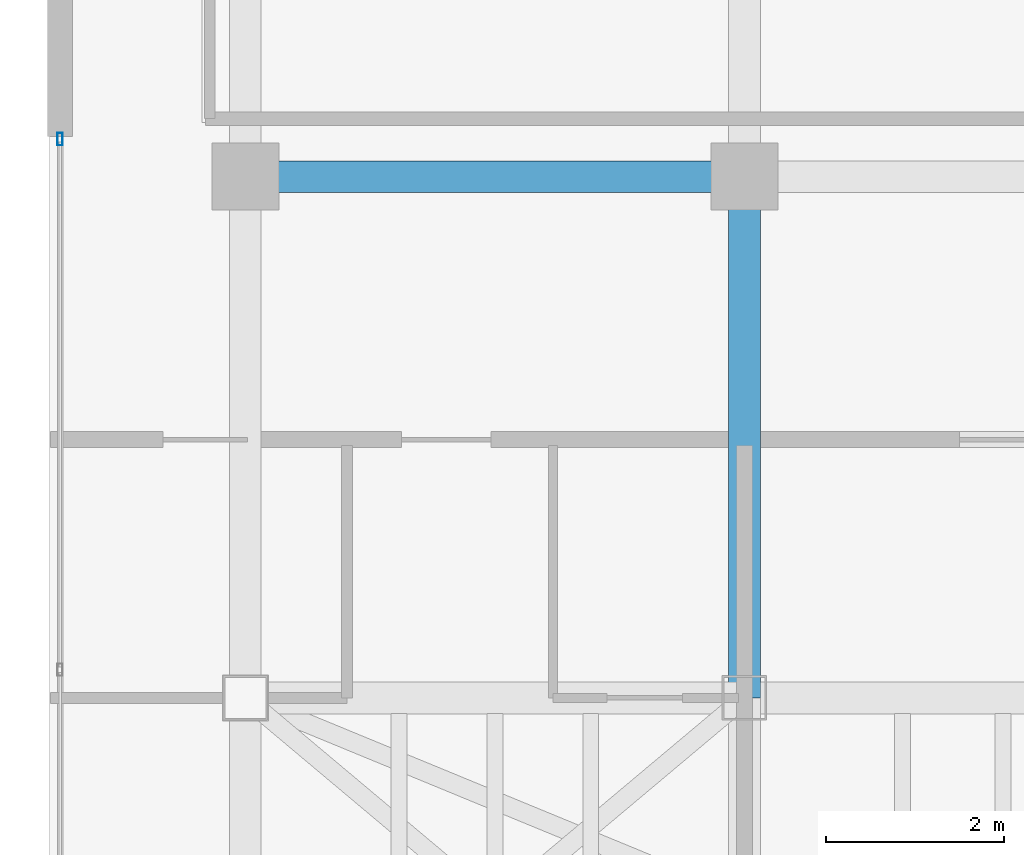
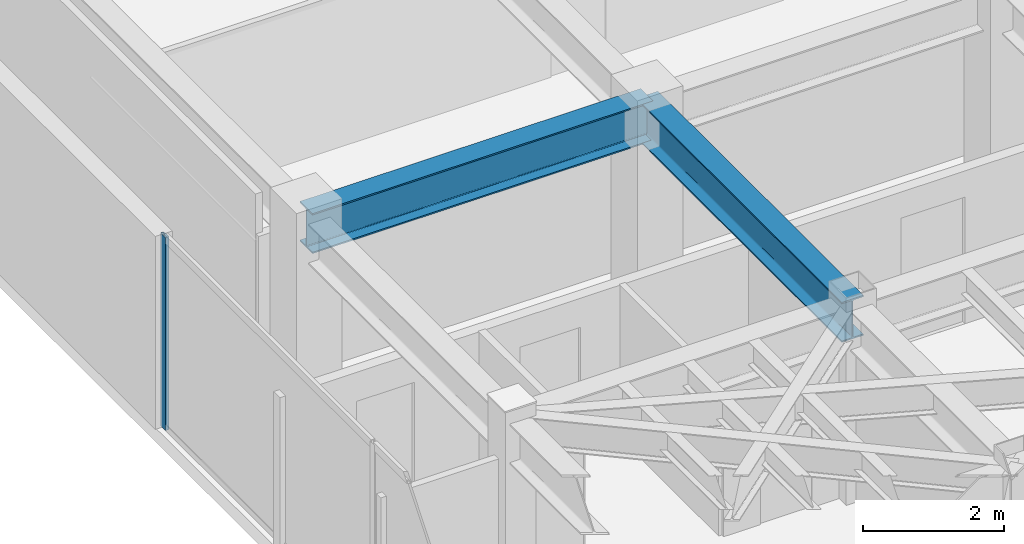
# One storey, part 12 of 19: 2 beams, 1 member, 1 element without a shape of its own.
"""IFC4 building model written with IfcOpenShell, lengths in metres."""

import ifcopenshell
import ifcopenshell.guid

model = None  # the IFC model being written
_history = None  # IfcOwnerHistory: only IFC2X3 demands one
_inside = {}  # id of a spatial element -> (the spatial element, [elements in it])
_under = {}  # id of a project, library or spatial element -> (it, [spatial elements below it])
_declared = {}  # id of a project -> (the project, [libraries it declares])
_typed = {}  # id of a type object -> (the type object, [elements of that type])
_made_of = {}  # id of a material, layer set ... -> (it, [elements and type objects made of it])


def new_model(schema):
    """Start an empty IFC model of exactly this schema.

    Asked for "IFC4X3", IfcOpenShell would pick the latest addendum, in which some entities
    have other attributes; the version numbers below select the first issue.
    IFC2X3 requires an IfcOwnerHistory on every rooted entity: one is made here for all.
    """
    global model, _history
    if schema == "IFC4X3":
        model = ifcopenshell.file(schema_version=(4, 3, 0, 0))
    else:
        model = ifcopenshell.file(schema=schema)
    _inside.clear()
    _under.clear()
    _declared.clear()
    _typed.clear()
    _made_of.clear()
    _history = None
    if model.schema == "IFC2X3":
        org = make("IfcOrganization", Name="unknown")
        user = make(
            "IfcPersonAndOrganization",
            ThePerson=make("IfcPerson", FamilyName="unknown"),
            TheOrganization=org,
        )
        app = make(
            "IfcApplication",
            ApplicationDeveloper=org,
            Version="unknown",
            ApplicationFullName="unknown",
            ApplicationIdentifier="unknown",
        )
        _history = make(
            "IfcOwnerHistory",
            OwningUser=user,
            OwningApplication=app,
            ChangeAction="ADDED",
            CreationDate=0,
        )
    return model


def make(cls, **values):
    """One entity of the class cls with the attributes given. An attribute that is None is left unset."""
    return model.create_entity(
        cls, **{name: value for name, value in values.items() if value is not None}
    )


def rooted(cls, **values):
    """An entity with a GlobalId (a new one), such as an element, a storey or a relation."""
    return make(cls, GlobalId=ifcopenshell.guid.new(), OwnerHistory=_history, **values)


def si_unit(unit_type, name, prefix=None):
    """IfcSIUnit, for example si_unit("LENGTHUNIT", "METRE", prefix="MILLI")."""
    return make("IfcSIUnit", UnitType=unit_type, Prefix=prefix, Name=name)


def assignment(units):
    """IfcUnitAssignment: the units of a project."""
    return None if units is None else make("IfcUnitAssignment", Units=units)


def point(xyz):
    """IfcCartesianPoint."""
    return None if xyz is None else make("IfcCartesianPoint", Coordinates=xyz)


def direction(xyz):
    """IfcDirection."""
    return None if xyz is None else make("IfcDirection", DirectionRatios=xyz)


def frame(location, z_axis=None, x_axis=None):
    """IfcAxis2Placement3D, a coordinate frame: its origin and axes. An axis left out is left unset."""
    return make(
        "IfcAxis2Placement3D",
        Location=point(location),
        Axis=direction(z_axis),
        RefDirection=direction(x_axis),
    )


def frame_2d(location, x_axis=None):
    """IfcAxis2Placement2D, a coordinate frame in the plane: its origin and x axis."""
    return make(
        "IfcAxis2Placement2D", Location=point(location), RefDirection=direction(x_axis)
    )


def origin():
    """The frame at (0, 0, 0) with its axes left unset."""
    return frame((0.0, 0.0, 0.0))


def origin_2d():
    """The frame at (0, 0) in the plane with its x axis left unset."""
    return frame_2d((0.0, 0.0))


def place(relative_to, where):
    """IfcLocalPlacement: puts the frame where relative to a parent placement (None: the world)."""
    return make(
        "IfcLocalPlacement", PlacementRelTo=relative_to, RelativePlacement=where
    )


def context(
    kind, dimensions, precision=None, world=None, true_north=None, identifier=None
):
    """IfcGeometricRepresentationContext, for example the 3D "Model" context."""
    return make(
        "IfcGeometricRepresentationContext",
        ContextIdentifier=identifier,
        ContextType=kind,
        CoordinateSpaceDimension=dimensions,
        Precision=precision,
        WorldCoordinateSystem=world,
        TrueNorth=true_north,
    )


def subcontext(parent, identifier, kind, view, scale=None):
    """IfcGeometricRepresentationSubContext, for example "Body" below "Model"."""
    return make(
        "IfcGeometricRepresentationSubContext",
        ContextIdentifier=identifier,
        ContextType=kind,
        ParentContext=parent,
        TargetScale=scale,
        TargetView=view,
    )


def project(units=None, contexts=None):
    """IfcProject with its units and contexts."""
    return rooted(
        "IfcProject",
        Name="project",
        RepresentationContexts=contexts,
        UnitsInContext=assignment(units),
    )


def spatial(cls, under=None, at=None, **own):
    """A site, building, storey or space (cls), placed at a placement, below another one or the project."""
    s = rooted(cls, ObjectPlacement=at, **own)
    if under is not None:
        _under.setdefault(under.id(), (under, []))[1].append(s)
    return s


def profile(cls, at=None, kind="AREA", **sizes):
    """A parametric profile (cls). Its sizes go by their IFC names, for example OverallWidth=200.0."""
    return make(cls, ProfileType=kind, Position=at, **sizes)


def hollow_rectangle(**sizes):
    """IfcRectangleHollowProfileDef."""
    return profile("IfcRectangleHollowProfileDef", **sizes)


def i_section(**sizes):
    """IfcIShapeProfileDef."""
    return profile("IfcIShapeProfileDef", **sizes)


def extrude(swept, where, along, depth):
    """IfcExtrudedAreaSolid: the profile swept, set in the frame where, extruded along a direction by depth."""
    return make(
        "IfcExtrudedAreaSolid",
        SweptArea=swept,
        Position=where,
        ExtrudedDirection=direction(along),
        Depth=depth,
    )


def shape(context_of_items, identifier, shape_type, items):
    """IfcShapeRepresentation: the items that make up one representation, for example the "Body"."""
    return make(
        "IfcShapeRepresentation",
        ContextOfItems=context_of_items,
        RepresentationIdentifier=identifier,
        RepresentationType=shape_type,
        Items=items,
    )


def material(Name=None, Category=None):
    """IfcMaterial."""
    return make("IfcMaterial", Name=Name, Category=Category)


def layer(
    of_material, thickness, ventilated=None, Name=None, Category=None, Priority=None
):
    """IfcMaterialLayer: one layer of a wall or slab, of a material (None: an air gap)."""
    return make(
        "IfcMaterialLayer",
        Material=of_material,
        LayerThickness=thickness,
        IsVentilated=ventilated,
        Name=Name,
        Category=Category,
        Priority=Priority,
    )


def layer_set(layers, Name=None):
    """IfcMaterialLayerSet."""
    return make("IfcMaterialLayerSet", MaterialLayers=layers, LayerSetName=Name)


def material_profile(
    of_material, cross_section, Name=None, Category=None, Priority=None
):
    """IfcMaterialProfile: a cross section and its material."""
    return make(
        "IfcMaterialProfile",
        Name=Name,
        Material=of_material,
        Profile=cross_section,
        Priority=Priority,
        Category=Category,
    )


def profile_set(profiles, Name=None, composite=None):
    """IfcMaterialProfileSet."""
    return make(
        "IfcMaterialProfileSet",
        Name=Name,
        MaterialProfiles=profiles,
        CompositeProfile=composite,
    )


def made_of(thing, what):
    """Note that an element or type object is made of a material, layer set ...; save() writes the relation."""
    if what is not None:
        _made_of.setdefault(what.id(), (what, []))[1].append(thing)
    return thing


def type_object(cls, material=None, **own):
    """A type object (cls), such as IfcWallType, which elements share."""
    return made_of(rooted(cls, **own), material)


def element(
    cls,
    number,
    at=None,
    inside=None,
    cuts=None,
    type_object=None,
    material=None,
    context=None,
    identifier="Body",
    shape_type=None,
    held_by="IfcProductDefinitionShape",
    body=None,
    shapes=None,
    **own,
):
    """One element of the class cls, such as IfcWall. Its Tag is "e" and its number.

    at: its placement. inside: the storey or other place that contains it. cuts: it is an
    opening in that element (IfcRelVoidsElement). A single representation is given by context,
    identifier, shape_type and body (its items); several are given by shapes. held_by: the class
    of the entity that holds the representations. save() writes the other relations.
    """
    e = rooted(cls, Tag="e%d" % number, ObjectPlacement=at, **own)
    if body is not None:
        shapes = [shape(context, identifier, shape_type, body)]
    if shapes is not None:
        e.Representation = make(held_by, Representations=shapes)
    if inside is not None:
        _inside.setdefault(inside.id(), (inside, []))[1].append(e)
    if cuts is not None:
        rooted(
            "IfcRelVoidsElement", RelatingBuildingElement=cuts, RelatedOpeningElement=e
        )
    if type_object is not None:
        _typed.setdefault(type_object.id(), (type_object, []))[1].append(e)
    return made_of(e, material)


def aggregate(whole, parts):
    """IfcRelAggregates: a whole, such as a stair, and the parts it consists of."""
    return rooted("IfcRelAggregates", RelatingObject=whole, RelatedObjects=parts)


def save(model, path):
    """Write the relations noted so far, then the file.

    IfcRelAggregates (storeys below a building ...), IfcRelContainedInSpatialStructure (elements
    in a storey), IfcRelDefinesByType, IfcRelAssociatesMaterial and IfcRelDeclares: one each for
    every whole, place, type object, material and project.
    """
    for whole, parts in _under.values():
        aggregate(whole, parts)
    for where, things in _inside.values():
        rooted(
            "IfcRelContainedInSpatialStructure",
            RelatedElements=things,
            RelatingStructure=where,
        )
    for kind, things in _typed.values():
        rooted("IfcRelDefinesByType", RelatedObjects=things, RelatingType=kind)
    for what, things in _made_of.values():
        rooted("IfcRelAssociatesMaterial", RelatedObjects=things, RelatingMaterial=what)
    for by, libraries in _declared.values():
        rooted("IfcRelDeclares", RelatingContext=by, RelatedDefinitions=libraries)
    model.write(path)


model = new_model("IFC4")

# Units and contexts
model_context = context("Model", 3, precision=1e-05, world=origin(), true_north=direction((0.0, 1.0)))
body_context = subcontext(model_context, "Body", "Model", "MODEL_VIEW")
ifc_project = project(units=[si_unit("LENGTHUNIT", "METRE"), si_unit("AREAUNIT", "SQUARE_METRE"), si_unit("VOLUMEUNIT", "CUBIC_METRE"), si_unit("PLANEANGLEUNIT", "RADIAN"), si_unit("MASSUNIT", "GRAM", prefix="KILO")], contexts=[model_context])

# Site, building, storey
site_placement = place(None, origin())
site = spatial("IfcSite", under=ifc_project, at=site_placement, CompositionType="ELEMENT")
building_placement = place(site_placement, origin())
building = spatial("IfcBuilding", under=site, at=building_placement, Name="Kravanh Interchange Tower", CompositionType="ELEMENT")
storey_placement = place(building_placement, frame((0.0, 0.0, 259.800048828125)))
storey = spatial("IfcBuildingStorey", under=building, at=storey_placement, Name="L63", CompositionType="ELEMENT", Elevation=259.800048828125)

# Curtain wall, member
ifc_material_1 = material(Name="Anodised Bronze Aluminium", Category="aluminium")
ifc_layer = layer(ifc_material_1, 0.179931640625)
ifc_layer_set = layer_set([ifc_layer], Name="Unitised Curtain Wall System CW-HTL Luxury Hotel")
curtain_wall_type = type_object("IfcCurtainWallType", Name="Unitised Curtain Wall System CW-HTL Luxury Hotel", PredefinedType="NOTDEFINED", material=ifc_layer_set)
curtain_wall_placement = place(storey_placement, origin())
curtain_wall = element("IfcCurtainWall", 1, at=curtain_wall_placement, inside=storey, type_object=curtain_wall_type, Name="L63 Unitised Curtain Wall CW-L63-01", PredefinedType="NOTDEFINED")
ifc_material_2 = material(Name="Anodised Bronze Aluminium", Category="aluminium")
ifc_material_profile_1 = material_profile(ifc_material_2, hollow_rectangle(XDim=0.06005859375, YDim=0.139892578125, WallThickness=0.00390625, at=origin_2d()), Name="ALU60X140X4")
ifc_profile_set_1 = profile_set([ifc_material_profile_1], Name="Anodised Bronze Aluminium")
member_type = type_object("IfcMemberType", Name="Curtain Wall Mullion ALU60X140X4 Bronze", PredefinedType="MULLION", material=ifc_profile_set_1)
member_placement = place(storey_placement, frame((25.1201171875, 37.77001953125, 0.0), z_axis=(0.0, 0.0, 1.0), x_axis=(-1.0, 0.0, 0.0)))
member = element("IfcMember", 2, at=member_placement, type_object=member_type, Name="CW-HTL mullion 4", PredefinedType="MULLION", context=body_context, shape_type="SweptSolid", body=[
    extrude(hollow_rectangle(XDim=0.06005859375, YDim=0.139892578125, WallThickness=0.00390625, at=origin_2d()), origin(), (0.0, 0.0, 1.0), 3.349853515625),
])
aggregate(curtain_wall, [member])

# Beams
ifc_material_3 = material(Name="Structural Steel S355", Category="steel")
ifc_material_profile_2 = material_profile(ifc_material_3, i_section(OverallWidth=0.35498046875, OverallDepth=0.696044921875, WebThickness=0.015380859375, FlangeThickness=0.02490234375, FilletRadius=0.02392578125, at=origin_2d()), Name="W27X146")
ifc_profile_set_2 = profile_set([ifc_material_profile_2], Name="Structural Steel S355")
beam_type = type_object("IfcBeamType", Name="Floor Beam W27X146 Structural Steel S355", PredefinedType="BEAM", material=ifc_profile_set_2)
beam_1_placement = place(storey_placement, frame((32.800048828125, 31.5, 3.001953125), z_axis=(0.0, 1.0, 0.0), x_axis=(-1.0, 0.0, 0.0)))
element("IfcBeam", 3, at=beam_1_placement, inside=storey, type_object=beam_type, Name="L63 Primary Floor Girder 23", PredefinedType="BEAM", context=body_context, shape_type="SweptSolid", body=[
    extrude(i_section(OverallWidth=0.35498046875, OverallDepth=0.696044921875, WebThickness=0.015380859375, FlangeThickness=0.02490234375, FilletRadius=0.02392578125, at=origin_2d()), origin(), (0.0, 0.0, 1.0), 5.85009765625),
])
beam_2_placement = place(storey_placement, frame((32.800048828125, 37.35009765625, 3.001953125), z_axis=(-1.0, 0.0, 0.0), x_axis=(0.0, -1.0, 0.0)))
element("IfcBeam", 4, at=beam_2_placement, inside=storey, type_object=beam_type, Name="L63 Primary Floor Girder 58", PredefinedType="BEAM", context=body_context, shape_type="SweptSolid", body=[
    extrude(i_section(OverallWidth=0.35498046875, OverallDepth=0.696044921875, WebThickness=0.015380859375, FlangeThickness=0.02490234375, FilletRadius=0.02392578125, at=origin_2d()), origin(), (0.0, 0.0, 1.0), 5.60009765625),
])

save(model, "model.ifc")
